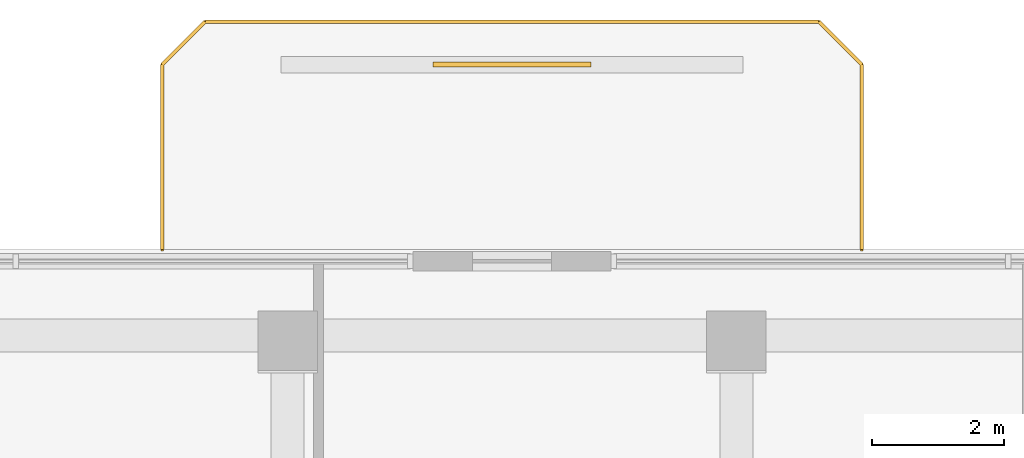
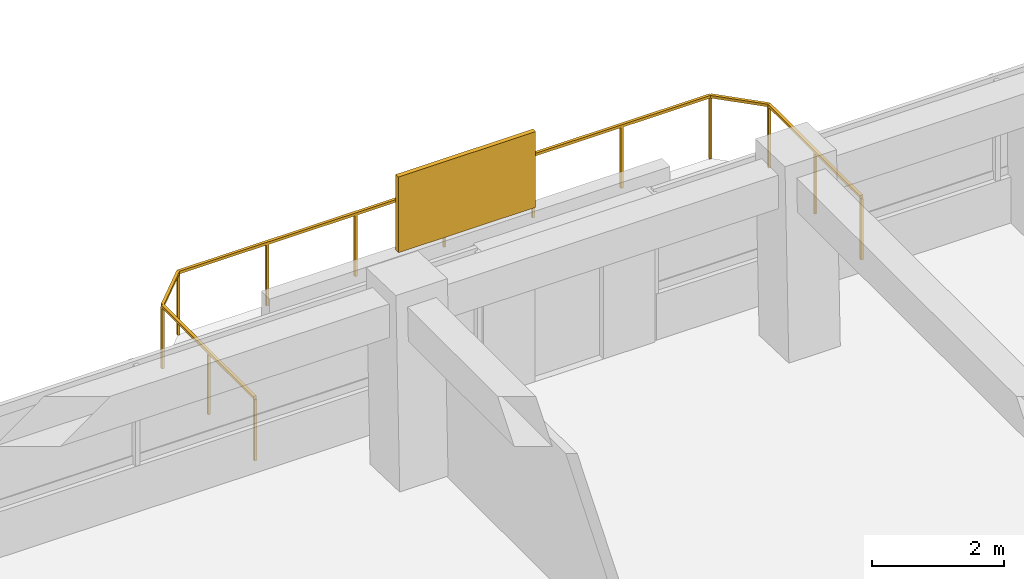
# One storey, part 12 of 12: 1 railing, 1 shading device.
"""IFC4 building model written with IfcOpenShell, lengths in metres."""

from ifc_helpers import new_model, si_unit, derived_unit, direction, frame, origin, origin_2d, place, context, subcontext, project, spatial, rectangle, extrude, material, layer, layer_set, type_object, element, save


model = new_model("IFC4")

# Units and contexts
model_context = context("Model", 3, precision=1e-05, world=origin(), true_north=direction((0.0, 1.0)))
body_context = subcontext(model_context, "Body", "Model", "MODEL_VIEW")
ifc_project = project(units=[si_unit("LENGTHUNIT", "METRE"), si_unit("AREAUNIT", "SQUARE_METRE"), si_unit("VOLUMEUNIT", "CUBIC_METRE"), si_unit("PLANEANGLEUNIT", "RADIAN"), si_unit("MASSUNIT", "GRAM", prefix="KILO"), derived_unit("THERMALTRANSMITTANCEUNIT", [(si_unit("POWERUNIT", "WATT"), 1), (si_unit("LENGTHUNIT", "METRE"), -2), (si_unit("THERMODYNAMICTEMPERATUREUNIT", "KELVIN"), -1)])], contexts=[model_context])

# Site, building, storey
site_placement = place(None, origin())
site = spatial("IfcSite", under=ifc_project, at=site_placement, CompositionType="ELEMENT")
building_placement = place(site_placement, origin())
building = spatial("IfcBuilding", under=site, at=building_placement, Name="Koralith Skygarden Medical Center", CompositionType="ELEMENT")
storey_placement = place(building_placement, frame((0.0, 0.0, 203.580078125)))
storey = spatial("IfcBuildingStorey", under=building, at=storey_placement, Name="L52", CompositionType="ELEMENT", Elevation=203.580078125)

# Railing
ifc_material_1 = material(Name="Steel ASTM A500 Grade C", Category="steel")
railing_type = type_object("IfcRailingType", Name="Outdoor Terrace & Balcony Safety Guardrail 1180", PredefinedType="GUARDRAIL", material=ifc_material_1)
railing_placement = place(storey_placement, frame((42.300048828125, 48.12109375, 0.0)))
element("IfcRailing", 1, at=railing_placement, inside=storey, type_object=railing_type, Name="L52 N Balcony Perimeter Guardrail", PredefinedType="GUARDRAIL", context=body_context, shape_type="SweptSolid", body=[
    extrude(rectangle(XDim=0.050048828125, YDim=0.050048828125, at=origin_2d()), frame((0.0, 0.001953125, 1.15478515625), z_axis=(0.0, 1.0, 0.0), x_axis=(-1.0, 0.0, 0.0)), (0.0, 0.0, 1.0), 2.797119140625),
    extrude(rectangle(XDim=0.050048828125, YDim=0.050048828125, at=origin_2d()), frame((-0.00146484375, 2.802490234375, 1.15478515625), z_axis=(-0.707239558722, 0.706973978714, 0.0), x_axis=(-0.706973978714, -0.707239558722, 0.0)), (0.0, 0.0, 1.0), 0.915283203125),
    extrude(rectangle(XDim=0.050048828125, YDim=0.050048828125, at=origin_2d()), frame((-0.652099609375, 3.450927734375, 1.15478515625), z_axis=(-1.0, 0.0, 0.0), x_axis=(0.0, -1.0, 0.0)), (0.0, 0.0, 1.0), 9.2958984375),
    extrude(rectangle(XDim=0.050048828125, YDim=0.050048828125, at=origin_2d()), frame((-9.951416015625, 3.449462890625, 1.15478515625), z_axis=(-0.707239558722, -0.706973978714, 0.0), x_axis=(0.706973978714, -0.707239558722, 0.0)), (0.0, 0.0, 1.0), 0.915283203125),
    extrude(rectangle(XDim=0.050048828125, YDim=0.050048828125, at=origin_2d()), frame((-10.60009765625, 2.799072265625, 1.15478515625), z_axis=(0.0, -1.0, 0.0), x_axis=(1.0, 0.0, 0.0)), (0.0, 0.0, 1.0), 2.797119140625),
    extrude(rectangle(XDim=0.0419921875, YDim=0.0419921875, at=origin_2d()), origin(), (0.0, 0.0, 1.0), 1.1279296875),
    extrude(rectangle(XDim=0.0419921875, YDim=0.0419921875, at=origin_2d()), frame((0.0, 1.400390625, 0.0)), (0.0, 0.0, 1.0), 1.1279296875),
    extrude(rectangle(XDim=0.0419921875, YDim=0.0419921875, at=origin_2d()), frame((0.0, 2.801025390625, 0.0)), (0.0, 0.0, 1.0), 1.1279296875),
    extrude(rectangle(XDim=0.0419921875, YDim=0.0419921875, at=origin_2d()), frame((-0.650146484375, 3.450927734375, 0.0)), (0.0, 0.0, 1.0), 1.1279296875),
    extrude(rectangle(XDim=0.0419921875, YDim=0.0419921875, at=origin_2d()), frame((-2.2001953125, 3.450927734375, 0.0)), (0.0, 0.0, 1.0), 1.1279296875),
    extrude(rectangle(XDim=0.0419921875, YDim=0.0419921875, at=origin_2d()), frame((-3.75, 3.450927734375, 0.0)), (0.0, 0.0, 1.0), 1.1279296875),
    extrude(rectangle(XDim=0.0419921875, YDim=0.0419921875, at=origin_2d()), frame((-5.300048828125, 3.450927734375, 0.0)), (0.0, 0.0, 1.0), 1.1279296875),
    extrude(rectangle(XDim=0.0419921875, YDim=0.0419921875, at=origin_2d()), frame((-6.85009765625, 3.450927734375, 0.0)), (0.0, 0.0, 1.0), 1.1279296875),
    extrude(rectangle(XDim=0.0419921875, YDim=0.0419921875, at=origin_2d()), frame((-8.39990234375, 3.450927734375, 0.0)), (0.0, 0.0, 1.0), 1.1279296875),
    extrude(rectangle(XDim=0.0419921875, YDim=0.0419921875, at=origin_2d()), frame((-9.949951171875, 3.450927734375, 0.0)), (0.0, 0.0, 1.0), 1.1279296875),
    extrude(rectangle(XDim=0.0419921875, YDim=0.0419921875, at=origin_2d()), frame((-10.60009765625, 2.801025390625, 0.0)), (0.0, 0.0, 1.0), 1.1279296875),
    extrude(rectangle(XDim=0.0419921875, YDim=0.0419921875, at=origin_2d()), frame((-10.60009765625, 1.400390625, 0.0)), (0.0, 0.0, 1.0), 1.1279296875),
    extrude(rectangle(XDim=0.0419921875, YDim=0.0419921875, at=origin_2d()), frame((-10.60009765625, 0.0, 0.0)), (0.0, 0.0, 1.0), 1.1279296875),
])

# Shading device
ifc_material_2 = material(Name="Aluminium 6063-T6", Category="aluminium")
ifc_layer = layer(ifc_material_2, 0.080078125)
ifc_layer_set = layer_set([ifc_layer], Name="Aluminium 6063-T6")
shading_device_type = type_object("IfcShadingDeviceType", Name="Perforated Biophilic Balcony Trellis Screen", PredefinedType="USERDEFINED", material=ifc_layer_set)
shading_device_placement = place(storey_placement, frame((37.0, 50.922119140625, 0.719970703125), z_axis=(0.0, 0.0, 1.0), x_axis=(1.0, 0.0, 0.0)))
element("IfcShadingDevice", 2, at=shading_device_placement, inside=storey, type_object=shading_device_type, Name="L52 N Biophilic Balcony Trellis Screen", ObjectType="HURRICANE SCREEN", PredefinedType="USERDEFINED", context=body_context, shape_type="SweptSolid", body=[
    extrude(rectangle(XDim=2.39990234375, YDim=0.080078125, at=origin_2d()), origin(), (0.0, 0.0, 1.0), 1.39990234375),
])

save(model, "model.ifc")
